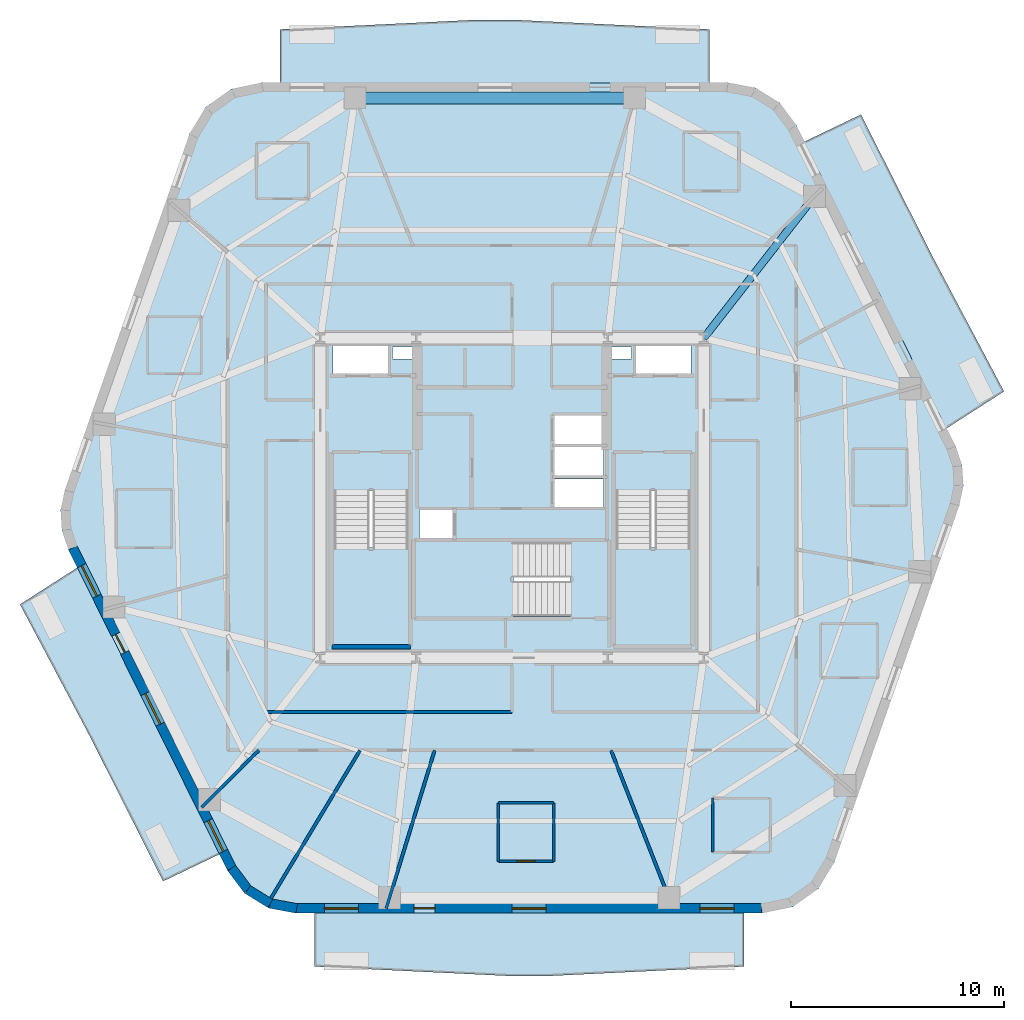
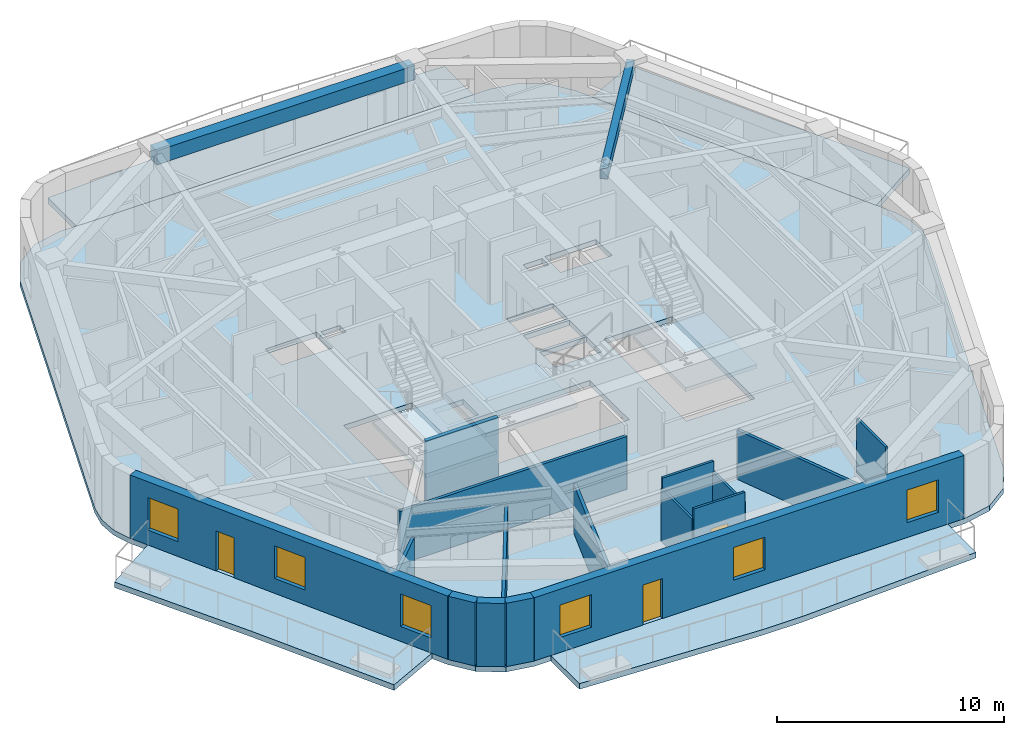
# One storey, part 2 of 10: 16 walls, 8 slabs, 6 windows, 3 doors, 2 beams, 9 openings, 3 elements without a shape of their own.
"""IFC4 building model written with IfcOpenShell, lengths in metres."""

from ifc_helpers import new_model, si_unit, direction, frame, frame_2d, origin, origin_2d, place, context, subcontext, project, spatial, polyline, rectangle, outline, extrude, material, layer, layer_set, material_profile, profile_set, type_object, element, fill, aggregate, save


model = new_model("IFC4")

# Units and contexts
model_context = context("Model", 3, precision=1e-05, world=origin(), true_north=direction((0.0, 1.0)))
body_context = subcontext(model_context, "Body", "Model", "MODEL_VIEW")
ifc_project = project(units=[si_unit("LENGTHUNIT", "METRE"), si_unit("AREAUNIT", "SQUARE_METRE"), si_unit("VOLUMEUNIT", "CUBIC_METRE"), si_unit("PLANEANGLEUNIT", "RADIAN"), si_unit("MASSUNIT", "GRAM", prefix="KILO")], contexts=[model_context])

# Site, building, storey
site_placement = place(None, origin())
site = spatial("IfcSite", under=ifc_project, at=site_placement, CompositionType="ELEMENT")
building_placement = place(site_placement, origin())
building = spatial("IfcBuilding", under=site, at=building_placement, Name="Kilnhurst Terrace Hotel", CompositionType="ELEMENT")
storey_placement = place(building_placement, frame((0.0, 0.0, 186.699951171875)))
storey = spatial("IfcBuildingStorey", under=building, at=storey_placement, Name="L46", CompositionType="ELEMENT", Elevation=186.699951171875)

# Beams
ifc_material_1 = material(Name="Concrete C50/60", Category="concrete")
ifc_material_profile_1 = material_profile(ifc_material_1, rectangle(XDim=0.35009765625, YDim=0.550048828125, at=origin_2d()), Name="RC350X550")
ifc_profile_set_1 = profile_set([ifc_material_profile_1], Name="Concrete C50/60")
beam_type_1 = type_object("IfcBeamType", Name="BM-RAD-350X550", PredefinedType="BEAM", material=ifc_profile_set_1)
beam_1_placement = place(storey_placement, frame((9.0, 7.5, 3.125), z_axis=(0.615370616457, 0.78823791104, 0.0), x_axis=(-0.78823791104, 0.615370616457, 0.0)))
element("IfcBeam", 1, at=beam_1_placement, inside=storey, type_object=beam_type_1, Name="L46 Radial Floor Beam 6", PredefinedType="BEAM", context=body_context, shape_type="SweptSolid", body=[
    extrude(rectangle(XDim=0.35009765625, YDim=0.550048828125, at=origin_2d()), origin(), (0.0, 0.0, 1.0), 8.456787109375),
])
ifc_material_profile_2 = material_profile(ifc_material_1, rectangle(XDim=0.550048828125, YDim=0.75, at=origin_2d()), Name="RC550X750")
ifc_profile_set_2 = profile_set([ifc_material_profile_2], Name="Concrete C50/60")
beam_type_2 = type_object("IfcBeamType", Name="BM-SPN-550X750", PredefinedType="SPANDREL", material=ifc_profile_set_2)
beam_2_placement = place(storey_placement, frame((5.7548828125, 18.780029296875, 3.025146484375), z_axis=(-1.0, 0.0, 0.0), x_axis=(0.0, -1.0, 0.0)))
element("IfcBeam", 2, at=beam_2_placement, inside=storey, type_object=beam_type_2, Name="L46 Perimeter Spandrel Beam 7", PredefinedType="SPANDREL", context=body_context, shape_type="SweptSolid", body=[
    extrude(rectangle(XDim=0.550048828125, YDim=0.75, at=origin_2d()), origin(), (0.0, 0.0, 1.0), 13.123779296875),
])

# Slabs
ifc_layer_1 = layer(ifc_material_1, 0.300048828125, Name="Concrete C50/60")
ifc_layer_set_1 = layer_set([ifc_layer_1], Name="Concrete C50/60")
slab_type_1 = type_object("IfcSlabType", Name="SLB-BAL-300", PredefinedType="FLOOR", material=ifc_layer_set_1)
slab_1_placement = place(storey_placement, frame((0.0, 0.0, -0.300048828125)))
element("IfcSlab", 3, at=slab_1_placement, inside=storey, type_object=slab_type_1, Name="L46 Cantilevered Planted Terrace Slab BAL-L1A", PredefinedType="FLOOR", context=body_context, shape_type="SweptSolid", body=[
    extrude(outline(polyline([(19.769287109375, 11.293212890625), (23.100830078125, 5.0), (20.393310546875, 3.25927734375), (13.718505859375, 16.72021484375), (16.384033203125, 18.0), (19.769287109375, 11.293212890625)])), origin(), (0.0, 0.0, 1.0), 0.300048828125),
])
slab_2_placement = place(storey_placement, frame((0.0, 0.0, -0.300048828125)))
element("IfcSlab", 4, at=slab_2_placement, inside=storey, type_object=slab_type_1, Name="L46 Cantilevered Planted Terrace Slab BAL-L1B", PredefinedType="FLOOR", context=body_context, shape_type="SweptSolid", body=[
    extrude(outline(polyline([(0.221923828125, 22.43994140625), (9.279296875, 22.0), (9.279296875, 19.47998046875), (-10.8935546875, 19.47998046875), (-10.8935546875, 22.0), (-1.83642578125, 22.43994140625), (0.221923828125, 22.43994140625)])), origin(), (0.0, 0.0, 1.0), 0.300048828125),
])
slab_3_placement = place(storey_placement, frame((0.0, 0.0, -0.300048828125)))
element("IfcSlab", 5, at=slab_3_placement, inside=storey, type_object=slab_type_1, Name="L46 Cantilevered Planted Terrace Slab BAL-L2A", PredefinedType="FLOOR", context=body_context, shape_type="SweptSolid", body=[
    extrude(outline(polyline([(-23.100830078125, -5.0), (-20.393310546875, -3.25927734375), (-13.718505859375, -16.72021484375), (-16.384033203125, -18.0), (-19.769287109375, -11.293212890625), (-23.100830078125, -5.0)])), origin(), (0.0, 0.0, 1.0), 0.300048828125),
])
slab_4_placement = place(storey_placement, frame((0.0, 0.0, -0.300048828125)))
element("IfcSlab", 6, at=slab_4_placement, inside=storey, type_object=slab_type_1, Name="L46 Cantilevered Planted Terrace Slab BAL-L2B", PredefinedType="FLOOR", context=body_context, shape_type="SweptSolid", body=[
    extrude(outline(polyline([(-0.221923828125, -22.43994140625), (-9.279296875, -22.0), (-9.279296875, -19.47998046875), (10.8935546875, -19.47998046875), (10.8935546875, -22.0), (1.83642578125, -22.43994140625), (-0.221923828125, -22.43994140625)])), origin(), (0.0, 0.0, 1.0), 0.300048828125),
])
ifc_layer_2 = layer(ifc_material_1, 0.280029296875, Name="Concrete C50/60")
ifc_layer_set_2 = layer_set([ifc_layer_2], Name="Concrete C50/60")
slab_type_2 = type_object("IfcSlabType", Name="SLB-FLR-280", PredefinedType="FLOOR", material=ifc_layer_set_2)
slab_5_placement = place(storey_placement, frame((0.0, 0.0, -0.280029296875)))
element("IfcSlab", 7, at=slab_5_placement, inside=storey, type_object=slab_type_2, Name="L46 Structural Floor Slab", PredefinedType="FLOOR", context=body_context, shape_type="SweptSolid", body=[
    extrude(outline(polyline([(-13.3544921875, -17.499267578125), (-12.5576171875, -18.5576171875), (-11.431640625, -19.256103515625), (-10.12939453125, -19.5), (11.74365234375, -19.5), (13.18310546875, -19.19970703125), (14.38232421875, -18.348876953125), (15.141357421875, -17.089599609375), (20.9990234375, -0.3583984375), (21.192138671875, 0.57568359375), (21.13330078125, 1.527587890625), (20.82666015625, 2.4306640625), (13.3544921875, 17.499267578125), (12.5576171875, 18.5576171875), (11.431640625, 19.256103515625), (10.12939453125, 19.5), (-11.74365234375, 19.5), (-13.18310546875, 19.19970703125), (-14.38232421875, 18.348876953125), (-15.141357421875, 17.089599609375), (-20.9990234375, 0.3583984375), (-21.192138671875, -0.57568359375), (-21.13330078125, -1.527587890625), (-20.82666015625, -2.4306640625), (-13.3544921875, -17.499267578125)]), holes=[polyline([(2.7548828125, -2.080078125), (2.7548828125, -5.550048828125), (-4.5, -5.550048828125), (-4.5, -2.080078125), (2.7548828125, -2.080078125)]), polyline([(-8.35009765625, 0.35498046875), (-4.8798828125, 0.35498046875), (-4.8798828125, -6.89990234375), (-8.35009765625, -6.89990234375), (-8.35009765625, 0.35498046875)]), polyline([(-2.800048828125, -1.89990234375), (-4.35009765625, -1.89990234375), (-4.35009765625, -0.550048828125), (-2.800048828125, -0.550048828125), (-2.800048828125, -1.89990234375)]), polyline([(1.949951171875, -0.429931640625), (1.949951171875, 0.89990234375), (4.300048828125, 0.89990234375), (4.300048828125, -0.429931640625), (1.949951171875, -0.429931640625)]), polyline([(-8.39990234375, 5.75), (-8.39990234375, 7.14990234375), (-5.800048828125, 7.14990234375), (-5.800048828125, 5.75), (-8.39990234375, 5.75)]), polyline([(-4.659912109375, 6.52001953125), (-5.6201171875, 6.52001953125), (-5.6201171875, 7.080078125), (-4.659912109375, 7.080078125), (-4.659912109375, 6.52001953125)]), polyline([(8.35009765625, 0.35498046875), (8.35009765625, -6.89990234375), (4.8798828125, -6.89990234375), (4.8798828125, 0.35498046875), (8.35009765625, 0.35498046875)]), polyline([(1.949951171875, 1.050048828125), (1.949951171875, 2.3798828125), (4.300048828125, 2.3798828125), (4.300048828125, 1.050048828125), (1.949951171875, 1.050048828125)]), polyline([(4.300048828125, 2.530029296875), (1.949951171875, 2.530029296875), (1.949951171875, 3.860107421875), (4.300048828125, 3.860107421875), (4.300048828125, 2.530029296875)]), polyline([(5.800048828125, 5.75), (5.800048828125, 7.14990234375), (8.39990234375, 7.14990234375), (8.39990234375, 5.75), (5.800048828125, 5.75)]), polyline([(4.659912109375, 6.52001953125), (4.659912109375, 7.080078125), (5.6201171875, 7.080078125), (5.6201171875, 6.52001953125), (4.659912109375, 6.52001953125)])]), origin(), (0.0, 0.0, 1.0), 0.280029296875),
])

# Stair, slab
stair_type = type_object("IfcStairType", Name="STR-CORE-1660", PredefinedType="HALF_TURN_STAIR", material=ifc_material_1)
stair_1_placement = place(storey_placement, origin())
stair_1 = element("IfcStair", 8, at=stair_1_placement, inside=storey, type_object=stair_type, Name="L46 ST-1", PredefinedType="HALF_TURN_STAIR")
ifc_layer_3 = layer(ifc_material_1, 0.199951171875, Name="Concrete C50/60")
ifc_layer_set_3 = layer_set([ifc_layer_3], Name="Concrete C50/60")
slab_type_3 = type_object("IfcSlabType", Name="SLB-ST-LND-200", PredefinedType="LANDING", material=ifc_layer_set_3)
slab_6_placement = place(storey_placement, frame((0.0, 0.0, 1.650146484375)))
slab_6 = element("IfcSlab", 9, at=slab_6_placement, type_object=slab_type_3, Name="ST-1 landing 1", PredefinedType="LANDING", context=body_context, shape_type="SweptSolid", body=[
    extrude(outline(polyline([(-8.429931640625, -2.330078125), (-4.800048828125, -2.330078125), (-4.800048828125, -6.97998046875), (-8.429931640625, -6.97998046875), (-8.429931640625, -2.330078125)])), origin(), (0.0, 0.0, 1.0), 0.199951171875),
])
aggregate(stair_1, [slab_6])

stair_2_placement = place(storey_placement, origin())
stair_2 = element("IfcStair", 10, at=stair_2_placement, inside=storey, type_object=stair_type, Name="L46 ST-2", PredefinedType="HALF_TURN_STAIR")
slab_7_placement = place(storey_placement, frame((0.0, 0.0, 1.650146484375)))
slab_7 = element("IfcSlab", 11, at=slab_7_placement, type_object=slab_type_3, Name="ST-2 landing 1", PredefinedType="LANDING", context=body_context, shape_type="SweptSolid", body=[
    extrude(outline(polyline([(4.800048828125, -2.330078125), (8.429931640625, -2.330078125), (8.429931640625, -6.97998046875), (4.800048828125, -6.97998046875), (4.800048828125, -2.330078125)])), origin(), (0.0, 0.0, 1.0), 0.199951171875),
])
aggregate(stair_2, [slab_7])

stair_3_placement = place(storey_placement, origin())
stair_3 = element("IfcStair", 12, at=stair_3_placement, inside=storey, type_object=stair_type, Name="L46 ST-3", PredefinedType="HALF_TURN_STAIR")
slab_8_placement = place(storey_placement, frame((0.0, 0.0, 1.650146484375)))
slab_8 = element("IfcSlab", 13, at=slab_8_placement, type_object=slab_type_3, Name="ST-3 landing 1", PredefinedType="LANDING", context=body_context, shape_type="SweptSolid", body=[
    extrude(outline(polyline([(0.070068359375, -2.0), (0.070068359375, -5.6298828125), (-4.580078125, -5.6298828125), (-4.580078125, -2.0), (0.070068359375, -2.0)])), origin(), (0.0, 0.0, 1.0), 0.199951171875),
])
aggregate(stair_3, [slab_8])

# Walls
ifc_material_2 = material(Name="Precast concrete C40/50", Category="concrete")
ifc_layer_4 = layer(ifc_material_2, 0.449951171875, Name="Precast concrete C40/50")
ifc_layer_set_4 = layer_set([ifc_layer_4], Name="Precast concrete C40/50")
wall_type_1 = type_object("IfcWallType", Name="WL-BRK-450", PredefinedType="SOLIDWALL", material=ifc_layer_set_4)
wall_1_placement = place(storey_placement, frame((-13.162353515625, -17.380615234375, 0.0), z_axis=(0.0, 0.0, 1.0), x_axis=(0.601515770517, -0.798860925205, 0.0)))
element("IfcWall", 14, at=wall_1_placement, inside=storey, type_object=wall_type_1, Name="L46 Rounded Corner Brick Wall C1.1", PredefinedType="SOLIDWALL", context=body_context, shape_type="SweptSolid", body=[
    extrude(rectangle(XDim=1.261962890625, YDim=0.449951171875, at=frame_2d((0.630859375, 0.0))), origin(), (0.0, 0.0, 1.0), 3.400146484375),
])
wall_2_placement = place(storey_placement, frame((-12.4033203125, -18.388671875, 0.0), z_axis=(0.0, 0.0, 1.0), x_axis=(0.849795170926, -0.527113049991, 0.0)))
element("IfcWall", 15, at=wall_2_placement, inside=storey, type_object=wall_type_1, Name="L46 Rounded Corner Brick Wall C1.2", PredefinedType="SOLIDWALL", context=body_context, shape_type="SweptSolid", body=[
    extrude(rectangle(XDim=1.24072265625, YDim=0.449951171875, at=frame_2d((0.620361328125, 0.0))), origin(), (0.0, 0.0, 1.0), 3.400146484375),
])
wall_3_placement = place(storey_placement, frame((-11.348876953125, -19.042724609375, 0.0), z_axis=(0.0, 0.0, 1.0), x_axis=(0.982931267051, -0.183973161772, 0.0)))
element("IfcWall", 16, at=wall_3_placement, inside=storey, type_object=wall_type_1, Name="L46 Rounded Corner Brick Wall C1.3", PredefinedType="SOLIDWALL", context=body_context, shape_type="SweptSolid", body=[
    extrude(rectangle(XDim=1.261962890625, YDim=0.449951171875, at=frame_2d((0.630859375, 0.0))), origin(), (0.0, 0.0, 1.0), 3.400146484375),
])

# Wall, openings, door, windows
wall_4_placement = place(storey_placement, frame((-10.1083984375, -19.27490234375, 0.0), z_axis=(0.0, 0.0, 1.0), x_axis=(1.0, 0.0, 0.0)))
wall_4 = element("IfcWall", 17, at=wall_4_placement, inside=storey, type_object=wall_type_1, Name="L46 Exterior Brick Facade Wall F1", PredefinedType="SOLIDWALL", context=body_context, shape_type="SweptSolid", body=[
    extrude(rectangle(XDim=21.828857421875, YDim=0.449951171875, at=frame_2d((10.91455078125, 0.0))), origin(), (0.0, 0.0, 1.0), 3.400146484375),
])
opening_1_placement = place(wall_4_placement, frame((5.5029296875, 0.0, 0.0)))
opening_1 = element("IfcOpeningElement", 18, at=opening_1_placement, cuts=wall_4, Name="Opening BD-1000", PredefinedType="OPENING", context=body_context, shape_type="SweptSolid", body=[
    extrude(rectangle(XDim=1.0, YDim=2.14990234375, at=frame_2d((0.5, 1.074951171875))), frame((0.0, 0.23486328125, 0.0), z_axis=(0.0, -1.0, 0.0), x_axis=(1.0, 0.0, 0.0)), (0.0, 0.0, 1.0), 0.469970703125),
])
opening_2_placement = place(wall_4_placement, frame((1.297119140625, 0.0, 0.800048828125)))
opening_2 = element("IfcOpeningElement", 19, at=opening_2_placement, cuts=wall_4, Name="Opening W-05", PredefinedType="OPENING", context=body_context, shape_type="SweptSolid", body=[
    extrude(rectangle(XDim=1.60009765625, YDim=1.75, at=frame_2d((0.800048828125, 0.875))), frame((0.0, 0.23486328125, 0.0), z_axis=(0.0, -1.0, 0.0), x_axis=(1.0, 0.0, 0.0)), (0.0, 0.0, 1.0), 0.469970703125),
])
opening_3_placement = place(wall_4_placement, frame((10.114990234375, 0.0, 0.800048828125)))
opening_3 = element("IfcOpeningElement", 20, at=opening_3_placement, cuts=wall_4, Name="Opening W-05", PredefinedType="OPENING", context=body_context, shape_type="SweptSolid", body=[
    extrude(rectangle(XDim=1.60009765625, YDim=1.75, at=frame_2d((0.800048828125, 0.875))), frame((0.0, 0.23486328125, 0.0), z_axis=(0.0, -1.0, 0.0), x_axis=(1.0, 0.0, 0.0)), (0.0, 0.0, 1.0), 0.469970703125),
])
opening_4_placement = place(wall_4_placement, frame((18.93310546875, 0.0, 0.800048828125)))
opening_4 = element("IfcOpeningElement", 21, at=opening_4_placement, cuts=wall_4, Name="Opening W-05", PredefinedType="OPENING", context=body_context, shape_type="SweptSolid", body=[
    extrude(rectangle(XDim=1.60009765625, YDim=1.75, at=frame_2d((0.800048828125, 0.875))), frame((0.0, 0.23486328125, 0.0), z_axis=(0.0, -1.0, 0.0), x_axis=(1.0, 0.0, 0.0)), (0.0, 0.0, 1.0), 0.469970703125),
])
ifc_material_3 = material(Name="Thermally Broken Bronze Aluminium Alloy 6063-T6 and Laminated Glass", Category="aluminium")
door_type_1 = type_object("IfcDoorType", Name="DR-EXT-BAL-1000", OperationType="NOTDEFINED", PredefinedType="DOOR", material=ifc_material_3)
door_1_placement = place(opening_1_placement, origin())
door_1 = element("IfcDoor", 22, at=door_1_placement, inside=storey, type_object=door_type_1, Name="L46 Planted Balcony Door BAL-L2B", OperationType="SINGLE_SWING_LEFT", OverallHeight=2.14990234375, OverallWidth=1.0, PredefinedType="DOOR", context=body_context, shape_type="SweptSolid", body=[
    extrude(rectangle(XDim=1.0, YDim=2.14990234375, at=frame_2d((0.5, 1.074951171875))), frame((0.0, 0.02490234375, 0.0), z_axis=(0.0, -1.0, 0.0), x_axis=(1.0, 0.0, 0.0)), (0.0, 0.0, 1.0), 0.050048828125),
])
fill(opening_1, door_1)
ifc_material_4 = material(Name="Thermally Broken Bronze Aluminium Alloy 6063-T6 and Low-E Glass", Category="aluminium")
window_type = type_object("IfcWindowType", Name="WIN-1600X1750", PartitioningType="SINGLE_PANEL", PredefinedType="WINDOW", material=ifc_material_4)
window_1_placement = place(opening_2_placement, origin())
window_1 = element("IfcWindow", 23, at=window_1_placement, inside=storey, type_object=window_type, Name="L46 Deep-Set Masonry Window F1.1", OverallHeight=1.75, OverallWidth=1.60009765625, PartitioningType="SINGLE_PANEL", PredefinedType="WINDOW", context=body_context, shape_type="SweptSolid", body=[
    extrude(rectangle(XDim=1.60009765625, YDim=1.75, at=frame_2d((0.800048828125, 0.875))), frame((0.0, 0.030029296875, 0.0), z_axis=(0.0, -1.0, 0.0), x_axis=(1.0, 0.0, 0.0)), (0.0, 0.0, 1.0), 0.06005859375),
])
fill(opening_2, window_1)
window_2_placement = place(opening_3_placement, origin())
window_2 = element("IfcWindow", 24, at=window_2_placement, inside=storey, type_object=window_type, Name="L46 Deep-Set Masonry Window F1.2", OverallHeight=1.75, OverallWidth=1.60009765625, PartitioningType="SINGLE_PANEL", PredefinedType="WINDOW", context=body_context, shape_type="SweptSolid", body=[
    extrude(rectangle(XDim=1.60009765625, YDim=1.75, at=frame_2d((0.800048828125, 0.875))), frame((0.0, 0.030029296875, 0.0), z_axis=(0.0, -1.0, 0.0), x_axis=(1.0, 0.0, 0.0)), (0.0, 0.0, 1.0), 0.06005859375),
])
fill(opening_3, window_2)
window_3_placement = place(opening_4_placement, origin())
window_3 = element("IfcWindow", 25, at=window_3_placement, inside=storey, type_object=window_type, Name="L46 Deep-Set Masonry Window F1.3", OverallHeight=1.75, OverallWidth=1.60009765625, PartitioningType="SINGLE_PANEL", PredefinedType="WINDOW", context=body_context, shape_type="SweptSolid", body=[
    extrude(rectangle(XDim=1.60009765625, YDim=1.75, at=frame_2d((0.800048828125, 0.875))), frame((0.0, 0.030029296875, 0.0), z_axis=(0.0, -1.0, 0.0), x_axis=(1.0, 0.0, 0.0)), (0.0, 0.0, 1.0), 0.06005859375),
])
fill(opening_4, window_3)

wall_5_placement = place(storey_placement, frame((-20.618408203125, -2.343994140625, 0.0), z_axis=(0.0, 0.0, 1.0), x_axis=(0.444243691097, -0.895905990002, 0.0)))
wall_5 = element("IfcWall", 26, at=wall_5_placement, inside=storey, type_object=wall_type_1, Name="L46 Exterior Brick Facade Wall F6", PredefinedType="SOLIDWALL", context=body_context, shape_type="SweptSolid", body=[
    extrude(rectangle(XDim=16.78369140625, YDim=0.449951171875, at=frame_2d((8.391845703125, 0.0))), origin(), (0.0, 0.0, 1.0), 3.400146484375),
])
opening_5_placement = place(wall_5_placement, frame((4.534912109375, 0.0, 0.0)))
opening_5 = element("IfcOpeningElement", 27, at=opening_5_placement, cuts=wall_5, Name="Opening BD-950", PredefinedType="OPENING", context=body_context, shape_type="SweptSolid", body=[
    extrude(rectangle(XDim=0.949951171875, YDim=2.14990234375, at=frame_2d((0.47509765625, 1.074951171875))), frame((0.0, 0.23486328125, 0.0), z_axis=(0.0, -1.0, 0.0), x_axis=(1.0, 0.0, 0.0)), (0.0, 0.0, 1.0), 0.469970703125),
])
opening_6_placement = place(wall_5_placement, frame((0.930908203125, 0.0, 0.800048828125)))
opening_6 = element("IfcOpeningElement", 28, at=opening_6_placement, cuts=wall_5, Name="Opening W-05", PredefinedType="OPENING", context=body_context, shape_type="SweptSolid", body=[
    extrude(rectangle(XDim=1.60009765625, YDim=1.75, at=frame_2d((0.800048828125, 0.875))), frame((0.0, 0.23486328125, 0.0), z_axis=(0.0, -1.0, 0.0), x_axis=(1.0, 0.0, 0.0)), (0.0, 0.0, 1.0), 0.469970703125),
])
opening_7_placement = place(wall_5_placement, frame((7.64208984375, 0.0, 0.800048828125)))
opening_7 = element("IfcOpeningElement", 29, at=opening_7_placement, cuts=wall_5, Name="Opening W-05", PredefinedType="OPENING", context=body_context, shape_type="SweptSolid", body=[
    extrude(rectangle(XDim=1.60009765625, YDim=1.75, at=frame_2d((0.800048828125, 0.875))), frame((0.0, 0.23486328125, 0.0), z_axis=(0.0, -1.0, 0.0), x_axis=(1.0, 0.0, 0.0)), (0.0, 0.0, 1.0), 0.469970703125),
])
opening_8_placement = place(wall_5_placement, frame((14.302978515625, 0.0, 0.800048828125)))
opening_8 = element("IfcOpeningElement", 30, at=opening_8_placement, cuts=wall_5, Name="Opening W-05", PredefinedType="OPENING", context=body_context, shape_type="SweptSolid", body=[
    extrude(rectangle(XDim=1.60009765625, YDim=1.75, at=frame_2d((0.800048828125, 0.875))), frame((0.0, 0.23486328125, 0.0), z_axis=(0.0, -1.0, 0.0), x_axis=(1.0, 0.0, 0.0)), (0.0, 0.0, 1.0), 0.469970703125),
])
door_type_2 = type_object("IfcDoorType", Name="DR-EXT-BAL-950", OperationType="NOTDEFINED", PredefinedType="DOOR", material=ifc_material_3)
door_2_placement = place(opening_5_placement, origin())
door_2 = element("IfcDoor", 31, at=door_2_placement, inside=storey, type_object=door_type_2, Name="L46 Planted Balcony Door BAL-L2A", OperationType="SINGLE_SWING_RIGHT", OverallHeight=2.14990234375, OverallWidth=0.949951171875, PredefinedType="DOOR", context=body_context, shape_type="SweptSolid", body=[
    extrude(rectangle(XDim=0.949951171875, YDim=2.14990234375, at=frame_2d((0.47509765625, 1.074951171875))), frame((0.0, 0.02490234375, 0.0), z_axis=(0.0, -1.0, 0.0), x_axis=(1.0, 0.0, 0.0)), (0.0, 0.0, 1.0), 0.050048828125),
])
fill(opening_5, door_2)
window_4_placement = place(opening_6_placement, origin())
window_4 = element("IfcWindow", 32, at=window_4_placement, inside=storey, type_object=window_type, Name="L46 Deep-Set Masonry Window F6.1", OverallHeight=1.75, OverallWidth=1.60009765625, PartitioningType="SINGLE_PANEL", PredefinedType="WINDOW", context=body_context, shape_type="SweptSolid", body=[
    extrude(rectangle(XDim=1.60009765625, YDim=1.75, at=frame_2d((0.800048828125, 0.875))), frame((0.0, 0.030029296875, 0.0), z_axis=(0.0, -1.0, 0.0), x_axis=(1.0, 0.0, 0.0)), (0.0, 0.0, 1.0), 0.06005859375),
])
fill(opening_6, window_4)
window_5_placement = place(opening_7_placement, origin())
window_5 = element("IfcWindow", 33, at=window_5_placement, inside=storey, type_object=window_type, Name="L46 Deep-Set Masonry Window F6.2", OverallHeight=1.75, OverallWidth=1.60009765625, PartitioningType="SINGLE_PANEL", PredefinedType="WINDOW", context=body_context, shape_type="SweptSolid", body=[
    extrude(rectangle(XDim=1.60009765625, YDim=1.75, at=frame_2d((0.800048828125, 0.875))), frame((0.0, 0.030029296875, 0.0), z_axis=(0.0, -1.0, 0.0), x_axis=(1.0, 0.0, 0.0)), (0.0, 0.0, 1.0), 0.06005859375),
])
fill(opening_7, window_5)
window_6_placement = place(opening_8_placement, origin())
window_6 = element("IfcWindow", 34, at=window_6_placement, inside=storey, type_object=window_type, Name="L46 Deep-Set Masonry Window F6.3", OverallHeight=1.75, OverallWidth=1.60009765625, PartitioningType="SINGLE_PANEL", PredefinedType="WINDOW", context=body_context, shape_type="SweptSolid", body=[
    extrude(rectangle(XDim=1.60009765625, YDim=1.75, at=frame_2d((0.800048828125, 0.875))), frame((0.0, 0.030029296875, 0.0), z_axis=(0.0, -1.0, 0.0), x_axis=(1.0, 0.0, 0.0)), (0.0, 0.0, 1.0), 0.06005859375),
])
fill(opening_8, window_6)

# Walls
ifc_material_5 = material(Name="Acoustic Double-Gypsum Corridor Partition Assembly")
ifc_layer_5 = layer(ifc_material_5, 0.14990234375, Name="Acoustic Double-Gypsum Corridor Partition Assembly")
ifc_layer_set_5 = layer_set([ifc_layer_5], Name="Acoustic Double-Gypsum Corridor Partition Assembly")
wall_type_2 = type_object("IfcWallType", Name="WL-COR-150", PredefinedType="PARTITIONING", material=ifc_layer_set_5)
wall_6_placement = place(storey_placement, frame((-11.550048828125, -10.050048828125, 0.0), z_axis=(0.0, 0.0, 1.0), x_axis=(1.0, 0.0, 0.0)))
element("IfcWall", 35, at=wall_6_placement, inside=storey, type_object=wall_type_2, Name="L46 Interior Wall WL-L46-COR-17", PredefinedType="PARTITIONING", context=body_context, shape_type="SweptSolid", body=[
    extrude(rectangle(XDim=11.550048828125, YDim=0.14990234375, at=frame_2d((5.77490234375, 0.0))), origin(), (0.0, 0.0, 1.0), 2.840087890625),
])
ifc_material_6 = material(Name="STC-58 Acoustic Twin-Frame Guestroom Demising Partition")
ifc_layer_6 = layer(ifc_material_6, 0.14990234375, Name="STC-58 Acoustic Twin-Frame Guestroom Demising Partition")
ifc_layer_set_6 = layer_set([ifc_layer_6], Name="STC-58 Acoustic Twin-Frame Guestroom Demising Partition")
wall_type_3 = type_object("IfcWallType", Name="WL-DEM-150", PredefinedType="PARTITIONING", material=ifc_layer_set_6)
wall_7_placement = place(storey_placement, frame((-11.8818359375, -11.85009765625, 0.0), z_axis=(0.0, 0.0, 1.0), x_axis=(-0.708037373639, -0.706174962407, 0.0)))
element("IfcWall", 36, at=wall_7_placement, inside=storey, type_object=wall_type_3, Name="L46 Interior Wall WL-L46-DEM-COL08-09-1", PredefinedType="PARTITIONING", context=body_context, shape_type="SweptSolid", body=[
    extrude(rectangle(XDim=3.801513671875, YDim=0.14990234375, at=frame_2d((1.90087890625, 0.0))), origin(), (0.0, 0.0, 1.0), 2.64013671875),
])
wall_8_placement = place(storey_placement, frame((-7.13623046875, -11.85009765625, 0.0), z_axis=(0.0, 0.0, 1.0), x_axis=(-0.515900673207, -0.856648408266, 0.0)))
element("IfcWall", 37, at=wall_8_placement, inside=storey, type_object=wall_type_3, Name="L46 Interior Wall WL-L46-DEM-MID08-10-1", PredefinedType="PARTITIONING", context=body_context, shape_type="SweptSolid", body=[
    extrude(rectangle(XDim=8.173583984375, YDim=0.14990234375, at=frame_2d((4.0869140625, 0.0))), origin(), (0.0, 0.0, 1.0), 2.64013671875),
])
wall_9_placement = place(storey_placement, frame((-3.63134765625, -11.85009765625, 0.0), z_axis=(0.0, 0.0, 1.0), x_axis=(-0.293007573338, -0.956110120209, 0.0)))
element("IfcWall", 38, at=wall_9_placement, inside=storey, type_object=wall_type_3, Name="L46 Interior Wall WL-L46-DEM-COL09-11-1", PredefinedType="PARTITIONING", context=body_context, shape_type="SweptSolid", body=[
    extrude(rectangle(XDim=7.765625, YDim=0.14990234375, at=frame_2d((3.8828125, 0.0))), origin(), (0.0, 0.0, 1.0), 2.64013671875),
])
wall_10_placement = place(storey_placement, frame((4.64990234375, -11.85009765625, 0.0), z_axis=(0.0, 0.0, 1.0), x_axis=(0.365265947993, -0.930903210456, 0.0)))
element("IfcWall", 39, at=wall_10_placement, inside=storey, type_object=wall_type_3, Name="L46 Interior Wall WL-L46-DEM-COL10-12-1", PredefinedType="PARTITIONING", context=body_context, shape_type="SweptSolid", body=[
    extrude(rectangle(XDim=7.975830078125, YDim=0.14990234375, at=frame_2d((3.98779296875, 0.0))), origin(), (0.0, 0.0, 1.0), 2.64013671875),
])

# Wall, opening, door
ifc_material_7 = material(Name="120 mm Moisture-Resistant Tile-Backed Bathroom Partition")
ifc_layer_7 = layer(ifc_material_7, 0.1201171875, Name="120 mm Moisture-Resistant Tile-Backed Bathroom Partition")
ifc_layer_set_7 = layer_set([ifc_layer_7], Name="120 mm Moisture-Resistant Tile-Backed Bathroom Partition")
wall_type_4 = type_object("IfcWallType", Name="WL-PART-120", PredefinedType="PARTITIONING", material=ifc_layer_set_7)
wall_11_placement = place(storey_placement, frame((-0.64111328125, -17.06298828125, 0.0), z_axis=(0.0, 0.0, 1.0), x_axis=(1.0, 0.0, 0.0)))
wall_11 = element("IfcWall", 40, at=wall_11_placement, inside=storey, type_object=wall_type_4, Name="L46 Interior Wall WL-L46-BTH-11-1", PredefinedType="PARTITIONING", context=body_context, shape_type="SweptSolid", body=[
    extrude(rectangle(XDim=2.60009765625, YDim=0.1201171875, at=frame_2d((1.300048828125, 0.0))), origin(), (0.0, 0.0, 1.0), 3.400146484375),
])
opening_9_placement = place(wall_11_placement, frame((0.875, 0.0, 0.0)))
opening_9 = element("IfcOpeningElement", 41, at=opening_9_placement, cuts=wall_11, Name="Opening D-08A", PredefinedType="OPENING", context=body_context, shape_type="SweptSolid", body=[
    extrude(rectangle(XDim=0.85009765625, YDim=2.030029296875, at=frame_2d((0.425048828125, 1.01513671875))), frame((0.0, 0.070068359375, 0.0), z_axis=(0.0, -1.0, 0.0), x_axis=(1.0, 0.0, 0.0)), (0.0, 0.0, 1.0), 0.14013671875),
])
ifc_material_8 = material(Name="Moisture-Resistant Lacquered En-suite Bathroom Door")
door_type_3 = type_object("IfcDoorType", Name="DR-INT-850", OperationType="NOTDEFINED", PredefinedType="DOOR", material=ifc_material_8)
door_3_placement = place(opening_9_placement, origin())
door_3 = element("IfcDoor", 42, at=door_3_placement, inside=storey, type_object=door_type_3, Name="L46 En-suite Bathroom Door 11", OperationType="SINGLE_SWING_RIGHT", OverallHeight=2.030029296875, OverallWidth=0.85009765625, PredefinedType="DOOR", context=body_context, shape_type="SweptSolid", body=[
    extrude(rectangle(XDim=0.85009765625, YDim=2.030029296875, at=frame_2d((0.425048828125, 1.01513671875))), frame((0.0, 0.02490234375, 0.0), z_axis=(0.0, -1.0, 0.0), x_axis=(1.0, 0.0, 0.0)), (0.0, 0.0, 1.0), 0.050048828125),
])
fill(opening_9, door_3)

# Walls
wall_12_placement = place(storey_placement, frame((1.958984375, -17.06298828125, 0.0), z_axis=(0.0, 0.0, 1.0), x_axis=(0.0, 1.0, 0.0)))
element("IfcWall", 43, at=wall_12_placement, inside=storey, type_object=wall_type_4, Name="L46 Interior Wall WL-L46-BTH-11-2", PredefinedType="PARTITIONING", context=body_context, shape_type="SweptSolid", body=[
    extrude(rectangle(XDim=2.75, YDim=0.1201171875, at=frame_2d((1.375, 0.0))), origin(), (0.0, 0.0, 1.0), 2.84033203125),
])
wall_13_placement = place(storey_placement, frame((1.958984375, -14.31298828125, 0.0), z_axis=(0.0, 0.0, 1.0), x_axis=(-1.0, 0.0, 0.0)))
element("IfcWall", 44, at=wall_13_placement, inside=storey, type_object=wall_type_4, Name="L46 Interior Wall WL-L46-BTH-11-3", PredefinedType="PARTITIONING", context=body_context, shape_type="SweptSolid", body=[
    extrude(rectangle(XDim=2.60009765625, YDim=0.1201171875, at=frame_2d((1.300048828125, 0.0))), origin(), (0.0, 0.0, 1.0), 3.400146484375),
])
wall_14_placement = place(storey_placement, frame((-0.64111328125, -14.31298828125, 0.0), z_axis=(0.0, 0.0, 1.0), x_axis=(0.0, -1.0, 0.0)))
element("IfcWall", 45, at=wall_14_placement, inside=storey, type_object=wall_type_4, Name="L46 Interior Wall WL-L46-BTH-11-4", PredefinedType="PARTITIONING", context=body_context, shape_type="SweptSolid", body=[
    extrude(rectangle(XDim=2.75, YDim=0.1201171875, at=frame_2d((1.375, 0.0))), origin(), (0.0, 0.0, 1.0), 2.84033203125),
])
wall_15_placement = place(storey_placement, frame((9.43603515625, -14.092041015625, 0.0), z_axis=(0.0, 0.0, 1.0), x_axis=(0.0, -1.0, 0.0)))
element("IfcWall", 46, at=wall_15_placement, inside=storey, type_object=wall_type_4, Name="L46 Interior Wall WL-L46-BTH-12-4", PredefinedType="PARTITIONING", context=body_context, shape_type="SweptSolid", body=[
    extrude(rectangle(XDim=2.5400390625, YDim=0.1201171875, at=frame_2d((1.27001953125, 0.0))), origin(), (0.0, 0.0, 1.0), 2.926513671875),
])
ifc_layer_8 = layer(ifc_material_1, 0.199951171875, Name="Concrete C50/60")
ifc_layer_set_8 = layer_set([ifc_layer_8], Name="Concrete C50/60")
wall_type_5 = type_object("IfcWallType", Name="WL-STAIR-RC-200", PredefinedType="SHEAR", material=ifc_layer_set_8)
wall_16_placement = place(storey_placement, frame((-8.4580078125, -6.985107421875, 0.0), z_axis=(0.0, 0.0, 1.0), x_axis=(1.0, 0.0, 0.0)))
element("IfcWall", 47, at=wall_16_placement, inside=storey, type_object=wall_type_5, Name="L46 Structural Stair Shaft Wall WL-L46-ST1-S", PredefinedType="SHEAR", context=body_context, shape_type="SweptSolid", body=[
    extrude(rectangle(XDim=3.68603515625, YDim=0.199951171875, at=frame_2d((1.843017578125, 0.0))), origin(), (0.0, 0.0, 1.0), 3.699951171875),
])

save(model, "model.ifc")
